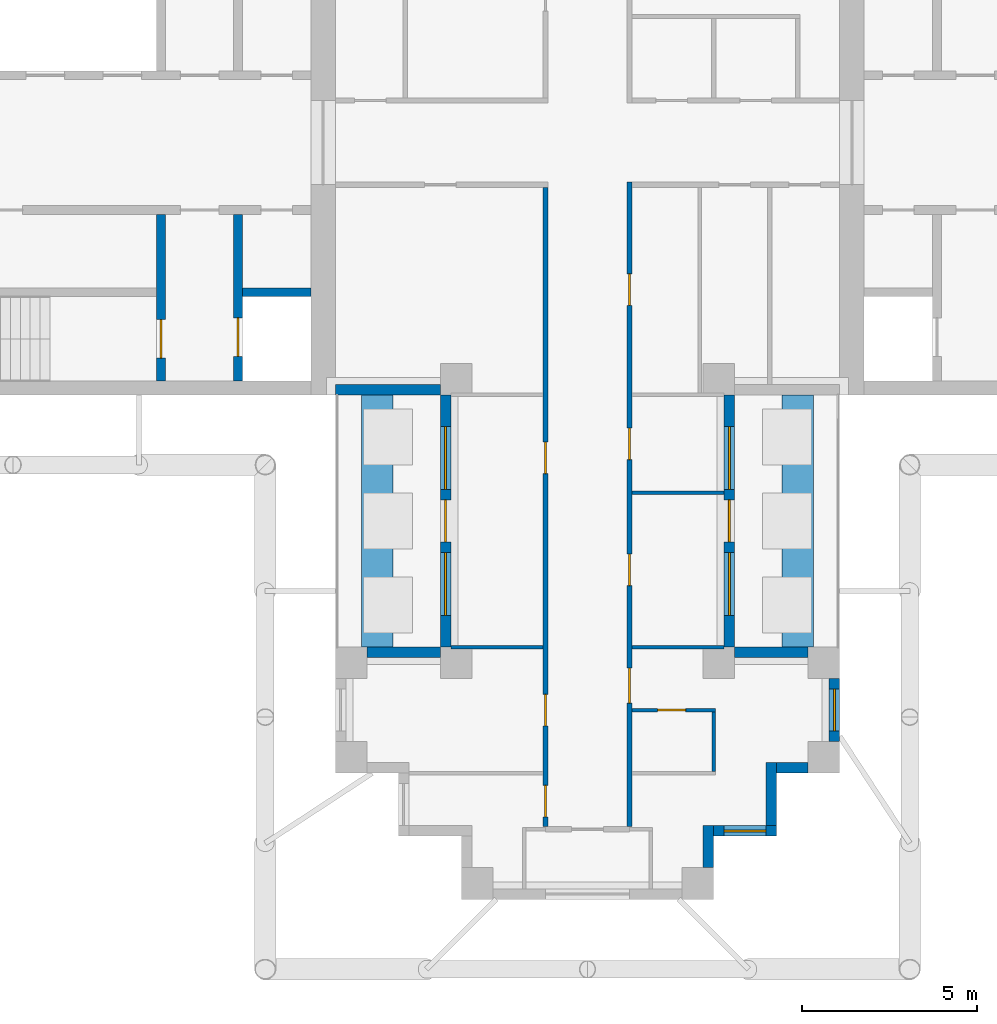
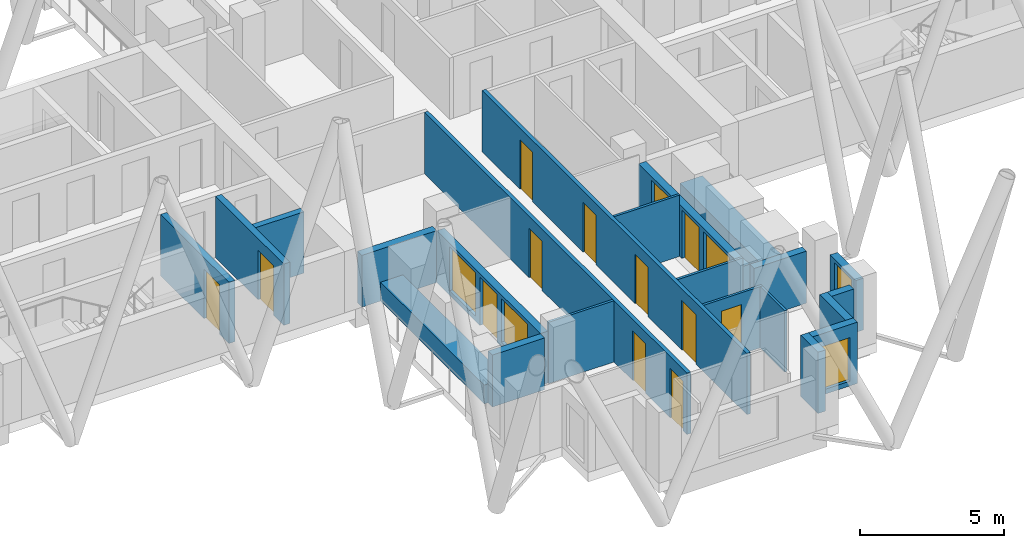
# One storey, part 5 of 12: 22 walls, 12 doors, 6 windows, 18 openings.
"""IFC4 building model written with IfcOpenShell, lengths in metres."""

from ifc_helpers import new_model, si_unit, direction, frame, frame_2d, origin, place, context, subcontext, project, spatial, rectangle, extrude, material, layer, layer_set, type_object, element, fill, save


model = new_model("IFC4")

# Units and contexts
model_context = context("Model", 3, precision=1e-05, world=origin(), true_north=direction((0.0, 1.0)))
body_context = subcontext(model_context, "Body", "Model", "MODEL_VIEW")
ifc_project = project(units=[si_unit("LENGTHUNIT", "METRE"), si_unit("AREAUNIT", "SQUARE_METRE"), si_unit("VOLUMEUNIT", "CUBIC_METRE"), si_unit("PLANEANGLEUNIT", "RADIAN"), si_unit("MASSUNIT", "GRAM", prefix="KILO")], contexts=[model_context])

# Site, building, storey
site_placement = place(None, origin())
site = spatial("IfcSite", under=ifc_project, at=site_placement, CompositionType="ELEMENT")
building_placement = place(site_placement, origin())
building = spatial("IfcBuilding", under=site, at=building_placement, Name="Fustian Cross Tower", CompositionType="ELEMENT")
storey_placement = place(building_placement, frame((0.0, 0.0, 188.699951171875)))
storey = spatial("IfcBuildingStorey", under=building, at=storey_placement, Name="L59", CompositionType="ELEMENT", Elevation=188.699951171875)

# Wall, openings, doors
ifc_material_1 = material(Name="Plasterboard on steel stud", Category="steel")
ifc_layer_1 = layer(ifc_material_1, 0.14990234375)
ifc_layer_set_1 = layer_set([ifc_layer_1], Name="Plasterboard on steel stud")
wall_type_1 = type_object("IfcWallType", Name="COMPARTMENT WALL 150 EI 60", PredefinedType="PARTITIONING", material=ifc_layer_set_1)
wall_1_placement = place(storey_placement, frame((-1.199951171875, -19.52490234375, 0.0), z_axis=(0.0, 0.0, 1.0), x_axis=(0.0, 1.0, 0.0)))
wall_1 = element("IfcWall", 1, at=wall_1_placement, inside=storey, type_object=wall_type_1, Name="Partition 27", PredefinedType="PARTITIONING", context=body_context, shape_type="SweptSolid", body=[
    extrude(rectangle(XDim=18.25, YDim=0.14990234375, at=frame_2d((9.125, 0.0))), origin(), (0.0, 0.0, 1.0), 2.60009765625),
])
opening_1_placement = place(wall_1_placement, frame((10.074951171875, 0.0, 0.0)))
opening_1 = element("IfcOpeningElement", 2, at=opening_1_placement, cuts=wall_1, Name="Opening D27037", PredefinedType="OPENING", context=body_context, shape_type="SweptSolid", body=[
    extrude(rectangle(XDim=0.89990234375, YDim=2.10009765625, at=frame_2d((0.449951171875, 1.050048828125))), frame((0.0, 0.0849609375, 0.0), z_axis=(0.0, -1.0, 0.0), x_axis=(1.0, 0.0, 0.0)), (0.0, 0.0, 1.0), 0.169921875),
])
opening_2_placement = place(wall_1_placement, frame((2.875, 0.0, 0.0)))
opening_2 = element("IfcOpeningElement", 3, at=opening_2_placement, cuts=wall_1, Name="Opening D27038", PredefinedType="OPENING", context=body_context, shape_type="SweptSolid", body=[
    extrude(rectangle(XDim=0.89990234375, YDim=2.10009765625, at=frame_2d((0.449951171875, 1.050048828125))), frame((0.0, 0.0849609375, 0.0), z_axis=(0.0, -1.0, 0.0), x_axis=(1.0, 0.0, 0.0)), (0.0, 0.0, 1.0), 0.169921875),
])
opening_3_placement = place(wall_1_placement, frame((0.27490234375, 0.0, 0.0)))
opening_3 = element("IfcOpeningElement", 4, at=opening_3_placement, cuts=wall_1, Name="Opening D27039", PredefinedType="OPENING", context=body_context, shape_type="SweptSolid", body=[
    extrude(rectangle(XDim=0.89990234375, YDim=2.10009765625, at=frame_2d((0.449951171875, 1.050048828125))), frame((0.0, 0.0849609375, 0.0), z_axis=(0.0, -1.0, 0.0), x_axis=(1.0, 0.0, 0.0)), (0.0, 0.0, 1.0), 0.169921875),
])
ifc_material_2 = material(Name="Timber fire door set", Category="wood")
door_type_1 = type_object("IfcDoorType", Name="FIRE SWING DOOR 900 FD30S", OperationType="SINGLE_SWING_LEFT", PredefinedType="DOOR", material=ifc_material_2)
door_1_placement = place(opening_1_placement, origin())
door_1 = element("IfcDoor", 5, at=door_1_placement, inside=storey, type_object=door_type_1, Name="Door D27037", OperationType="SINGLE_SWING_RIGHT", OverallHeight=2.10009765625, OverallWidth=0.89990234375, PredefinedType="DOOR", context=body_context, shape_type="SweptSolid", body=[
    extrude(rectangle(XDim=0.89990234375, YDim=2.10009765625, at=frame_2d((0.449951171875, 1.050048828125))), frame((0.0, 0.02490234375, 0.0), z_axis=(0.0, -1.0, 0.0), x_axis=(1.0, 0.0, 0.0)), (0.0, 0.0, 1.0), 0.050048828125),
])
fill(opening_1, door_1)
door_2_placement = place(opening_2_placement, origin())
door_2 = element("IfcDoor", 6, at=door_2_placement, inside=storey, type_object=door_type_1, Name="Door D27038", OperationType="SINGLE_SWING_LEFT", OverallHeight=2.10009765625, OverallWidth=0.89990234375, PredefinedType="DOOR", context=body_context, shape_type="SweptSolid", body=[
    extrude(rectangle(XDim=0.89990234375, YDim=2.10009765625, at=frame_2d((0.449951171875, 1.050048828125))), frame((0.0, 0.02490234375, 0.0), z_axis=(0.0, -1.0, 0.0), x_axis=(1.0, 0.0, 0.0)), (0.0, 0.0, 1.0), 0.050048828125),
])
fill(opening_2, door_2)
door_3_placement = place(opening_3_placement, origin())
door_3 = element("IfcDoor", 7, at=door_3_placement, inside=storey, type_object=door_type_1, Name="Door D27039", OperationType="SINGLE_SWING_LEFT", OverallHeight=2.10009765625, OverallWidth=0.89990234375, PredefinedType="DOOR", context=body_context, shape_type="SweptSolid", body=[
    extrude(rectangle(XDim=0.89990234375, YDim=2.10009765625, at=frame_2d((0.449951171875, 1.050048828125))), frame((0.0, 0.02490234375, 0.0), z_axis=(0.0, -1.0, 0.0), x_axis=(1.0, 0.0, 0.0)), (0.0, 0.0, 1.0), 0.050048828125),
])
fill(opening_3, door_3)

wall_2_placement = place(storey_placement, frame((1.199951171875, -19.52490234375, 0.0), z_axis=(0.0, 0.0, 1.0), x_axis=(0.0, 1.0, 0.0)))
wall_2 = element("IfcWall", 8, at=wall_2_placement, inside=storey, type_object=wall_type_1, Name="Partition 31", PredefinedType="PARTITIONING", context=body_context, shape_type="SweptSolid", body=[
    extrude(rectangle(XDim=18.39990234375, YDim=0.14990234375, at=frame_2d((9.199951171875, 0.0))), origin(), (0.0, 0.0, 1.0), 2.60009765625),
])
opening_4_placement = place(wall_2_placement, frame((14.875, 0.0, 0.0)))
opening_4 = element("IfcOpeningElement", 9, at=opening_4_placement, cuts=wall_2, Name="Opening D27006", PredefinedType="OPENING", context=body_context, shape_type="SweptSolid", body=[
    extrude(rectangle(XDim=0.89990234375, YDim=2.10009765625, at=frame_2d((0.449951171875, 1.050048828125))), frame((0.0, 0.0849609375, 0.0), z_axis=(0.0, -1.0, 0.0), x_axis=(1.0, 0.0, 0.0)), (0.0, 0.0, 1.0), 0.169921875),
])
opening_5_placement = place(wall_2_placement, frame((10.47509765625, 0.0, 0.0)))
opening_5 = element("IfcOpeningElement", 10, at=opening_5_placement, cuts=wall_2, Name="Opening D27033", PredefinedType="OPENING", context=body_context, shape_type="SweptSolid", body=[
    extrude(rectangle(XDim=0.89990234375, YDim=2.10009765625, at=frame_2d((0.449951171875, 1.050048828125))), frame((0.0, 0.0849609375, 0.0), z_axis=(0.0, -1.0, 0.0), x_axis=(1.0, 0.0, 0.0)), (0.0, 0.0, 1.0), 0.169921875),
])
opening_6_placement = place(wall_2_placement, frame((6.875, 0.0, 0.0)))
opening_6 = element("IfcOpeningElement", 11, at=opening_6_placement, cuts=wall_2, Name="Opening D27034", PredefinedType="OPENING", context=body_context, shape_type="SweptSolid", body=[
    extrude(rectangle(XDim=0.89990234375, YDim=2.10009765625, at=frame_2d((0.449951171875, 1.050048828125))), frame((0.0, 0.0849609375, 0.0), z_axis=(0.0, -1.0, 0.0), x_axis=(1.0, 0.0, 0.0)), (0.0, 0.0, 1.0), 0.169921875),
])
opening_7_placement = place(wall_2_placement, frame((3.52490234375, 0.0, 0.0)))
opening_7 = element("IfcOpeningElement", 12, at=opening_7_placement, cuts=wall_2, Name="Opening D27036", PredefinedType="OPENING", context=body_context, shape_type="SweptSolid", body=[
    extrude(rectangle(XDim=1.0, YDim=2.10009765625, at=frame_2d((0.5, 1.050048828125))), frame((0.0, 0.0849609375, 0.0), z_axis=(0.0, -1.0, 0.0), x_axis=(1.0, 0.0, 0.0)), (0.0, 0.0, 1.0), 0.169921875),
])
ifc_material_3 = material(Name="Timber fire door set", Category="wood")
door_type_2 = type_object("IfcDoorType", Name="FIRE SWING DOOR 1000 FD30S", OperationType="SINGLE_SWING_LEFT", PredefinedType="DOOR", material=ifc_material_3)
door_4_placement = place(opening_7_placement, frame((1.0, 0.0, 0.0), z_axis=(0.0, 0.0, 1.0), x_axis=(-1.0, 0.0, 0.0)))
door_4 = element("IfcDoor", 13, at=door_4_placement, inside=storey, type_object=door_type_2, Name="Door D27036", OperationType="SINGLE_SWING_RIGHT", OverallHeight=2.10009765625, OverallWidth=1.0, PredefinedType="DOOR", context=body_context, shape_type="SweptSolid", body=[
    extrude(rectangle(XDim=1.0, YDim=2.10009765625, at=frame_2d((0.5, 1.050048828125))), frame((0.0, 0.02490234375, 0.0), z_axis=(0.0, -1.0, 0.0), x_axis=(1.0, 0.0, 0.0)), (0.0, 0.0, 1.0), 0.050048828125),
])
fill(opening_7, door_4)
door_5_placement = place(opening_4_placement, frame((0.89990234375, 0.0, 0.0), z_axis=(0.0, 0.0, 1.0), x_axis=(-1.0, 0.0, 0.0)))
door_5 = element("IfcDoor", 14, at=door_5_placement, inside=storey, type_object=door_type_1, Name="Door D27006", OperationType="SINGLE_SWING_RIGHT", OverallHeight=2.10009765625, OverallWidth=0.89990234375, PredefinedType="DOOR", context=body_context, shape_type="SweptSolid", body=[
    extrude(rectangle(XDim=0.89990234375, YDim=2.10009765625, at=frame_2d((0.449951171875, 1.050048828125))), frame((0.0, 0.02490234375, 0.0), z_axis=(0.0, -1.0, 0.0), x_axis=(1.0, 0.0, 0.0)), (0.0, 0.0, 1.0), 0.050048828125),
])
fill(opening_4, door_5)
door_6_placement = place(opening_5_placement, frame((0.89990234375, 0.0, 0.0), z_axis=(0.0, 0.0, 1.0), x_axis=(-1.0, 0.0, 0.0)))
door_6 = element("IfcDoor", 15, at=door_6_placement, inside=storey, type_object=door_type_1, Name="Door D27033", OperationType="SINGLE_SWING_RIGHT", OverallHeight=2.10009765625, OverallWidth=0.89990234375, PredefinedType="DOOR", context=body_context, shape_type="SweptSolid", body=[
    extrude(rectangle(XDim=0.89990234375, YDim=2.10009765625, at=frame_2d((0.449951171875, 1.050048828125))), frame((0.0, 0.02490234375, 0.0), z_axis=(0.0, -1.0, 0.0), x_axis=(1.0, 0.0, 0.0)), (0.0, 0.0, 1.0), 0.050048828125),
])
fill(opening_5, door_6)
door_7_placement = place(opening_6_placement, frame((0.89990234375, 0.0, 0.0), z_axis=(0.0, 0.0, 1.0), x_axis=(-1.0, 0.0, 0.0)))
door_7 = element("IfcDoor", 16, at=door_7_placement, inside=storey, type_object=door_type_1, Name="Door D27034", OperationType="SINGLE_SWING_RIGHT", OverallHeight=2.10009765625, OverallWidth=0.89990234375, PredefinedType="DOOR", context=body_context, shape_type="SweptSolid", body=[
    extrude(rectangle(XDim=0.89990234375, YDim=2.10009765625, at=frame_2d((0.449951171875, 1.050048828125))), frame((0.0, 0.02490234375, 0.0), z_axis=(0.0, -1.0, 0.0), x_axis=(1.0, 0.0, 0.0)), (0.0, 0.0, 1.0), 0.050048828125),
])
fill(opening_6, door_7)

# Wall
ifc_material_4 = material(Name="Concrete C50/60", Category="concrete")
ifc_layer_2 = layer(ifc_material_4, 0.25)
ifc_layer_set_2 = layer_set([ifc_layer_2], Name="Concrete C50/60")
wall_type_2 = type_object("IfcWallType", Name="CORE SHAFT WALL 250 C50/60", PredefinedType="SHEAR", material=ifc_layer_set_2)
wall_3_placement = place(storey_placement, frame((-7.89990234375, -4.27490234375, 0.0), z_axis=(0.0, 0.0, 1.0), x_axis=(-1.0, 0.0, 0.0)))
element("IfcWall", 17, at=wall_3_placement, inside=storey, type_object=wall_type_2, Name="Core shaft wall", PredefinedType="SHEAR", context=body_context, shape_type="SweptSolid", body=[
    extrude(rectangle(XDim=1.9501953125, YDim=0.25, at=frame_2d((0.97509765625, 0.0))), origin(), (0.0, 0.0, 1.0), 2.60009765625),
])

# Wall, opening, door
wall_4_placement = place(storey_placement, frame((-9.97509765625, -2.050048828125, 0.0), z_axis=(0.0, 0.0, 1.0), x_axis=(0.0, -1.0, 0.0)))
wall_4 = element("IfcWall", 18, at=wall_4_placement, inside=storey, type_object=wall_type_2, Name="Core shaft wall", PredefinedType="SHEAR", context=body_context, shape_type="SweptSolid", body=[
    extrude(rectangle(XDim=4.75, YDim=0.25, at=frame_2d((2.375, 0.0))), origin(), (0.0, 0.0, 1.0), 2.60009765625),
])
opening_8_placement = place(wall_4_placement, frame((2.949951171875, 0.0, 0.0)))
opening_8 = element("IfcOpeningElement", 19, at=opening_8_placement, cuts=wall_4, Name="Opening LD", PredefinedType="OPENING", context=body_context, shape_type="SweptSolid", body=[
    extrude(rectangle(XDim=1.10009765625, YDim=2.10009765625, at=frame_2d((0.550048828125, 1.050048828125))), frame((0.0, 0.135009765625, 0.0), z_axis=(0.0, -1.0, 0.0), x_axis=(1.0, 0.0, 0.0)), (0.0, 0.0, 1.0), 0.27001953125),
])
ifc_material_5 = material(Name="Stainless steel", Category="steel")
door_type_3 = type_object("IfcDoorType", Name="LIFT LANDING DOOR 1100X2100", OperationType="SLIDING_TO_LEFT", PredefinedType="DOOR", material=ifc_material_5)
door_8_placement = place(opening_8_placement, origin())
door_8 = element("IfcDoor", 20, at=door_8_placement, inside=storey, type_object=door_type_3, Name="Landing door SV1W", OperationType="SLIDING_TO_LEFT", OverallHeight=2.10009765625, OverallWidth=1.10009765625, PredefinedType="DOOR", context=body_context, shape_type="SweptSolid", body=[
    extrude(rectangle(XDim=1.10009765625, YDim=2.10009765625, at=frame_2d((0.550048828125, 1.050048828125))), frame((0.0, 0.02490234375, 0.0), z_axis=(0.0, -1.0, 0.0), x_axis=(1.0, 0.0, 0.0)), (0.0, 0.0, 1.0), 0.050048828125),
])
fill(opening_8, door_8)

wall_5_placement = place(storey_placement, frame((-12.175048828125, -2.050048828125, 0.0), z_axis=(0.0, 0.0, 1.0), x_axis=(0.0, -1.0, 0.0)))
wall_5 = element("IfcWall", 21, at=wall_5_placement, inside=storey, type_object=wall_type_2, Name="Core shaft wall", PredefinedType="SHEAR", context=body_context, shape_type="SweptSolid", body=[
    extrude(rectangle(XDim=4.75, YDim=0.25, at=frame_2d((2.375, 0.0))), origin(), (0.0, 0.0, 1.0), 2.60009765625),
])
opening_9_placement = place(wall_5_placement, frame((3.0, 0.0, 0.0)))
opening_9 = element("IfcOpeningElement", 22, at=opening_9_placement, cuts=wall_5, Name="Opening CD-24-22", PredefinedType="OPENING", context=body_context, shape_type="SweptSolid", body=[
    extrude(rectangle(XDim=1.10009765625, YDim=2.10009765625, at=frame_2d((0.550048828125, 1.050048828125))), frame((0.0, 0.135009765625, 0.0), z_axis=(0.0, -1.0, 0.0), x_axis=(1.0, 0.0, 0.0)), (0.0, 0.0, 1.0), 0.27001953125),
])
ifc_material_6 = material(Name="Steel", Category="steel")
door_type_4 = type_object("IfcDoorType", Name="FIRE DOOR FD60S 1100X2100", OperationType="SINGLE_SWING_LEFT", PredefinedType="DOOR", material=ifc_material_6)
door_9_placement = place(opening_9_placement, frame((1.10009765625, 0.0, 0.0), z_axis=(0.0, 0.0, 1.0), x_axis=(-1.0, 0.0, 0.0)))
door_9 = element("IfcDoor", 23, at=door_9_placement, inside=storey, type_object=door_type_4, Name="Core door CD-24-22", OperationType="SINGLE_SWING_RIGHT", OverallHeight=2.10009765625, OverallWidth=1.10009765625, PredefinedType="DOOR", context=body_context, shape_type="SweptSolid", body=[
    extrude(rectangle(XDim=1.10009765625, YDim=2.10009765625, at=frame_2d((0.550048828125, 1.050048828125))), frame((0.0, 0.02490234375, 0.0), z_axis=(0.0, -1.0, 0.0), x_axis=(1.0, 0.0, 0.0)), (0.0, 0.0, 1.0), 0.050048828125),
])
fill(opening_9, door_9)

# Wall
ifc_material_7 = material(Name="Plasterboard on steel stud", Category="steel")
ifc_layer_3 = layer(ifc_material_7, 0.10009765625)
ifc_layer_set_3 = layer_set([ifc_layer_3], Name="Plasterboard on steel stud")
wall_type_3 = type_object("IfcWallType", Name="PARTITION 100 STUD", PredefinedType="PARTITIONING", material=ifc_layer_set_3)
wall_6_placement = place(storey_placement, frame((-3.89990234375, -14.39990234375, 0.0), z_axis=(0.0, 0.0, 1.0), x_axis=(1.0, 0.0, 0.0)))
element("IfcWall", 24, at=wall_6_placement, inside=storey, type_object=wall_type_3, Name="Partition 19", PredefinedType="PARTITIONING", context=body_context, shape_type="SweptSolid", body=[
    extrude(rectangle(XDim=2.625, YDim=0.10009765625, at=frame_2d((1.3125, 0.0))), origin(), (0.0, 0.0, 1.0), 2.60009765625),
])

# Wall, opening, door
wall_7_placement = place(storey_placement, frame((1.27490234375, -16.199951171875, 0.0), z_axis=(0.0, 0.0, 1.0), x_axis=(1.0, 0.0, 0.0)))
wall_7 = element("IfcWall", 25, at=wall_7_placement, inside=storey, type_object=wall_type_3, Name="Partition 34", PredefinedType="PARTITIONING", context=body_context, shape_type="SweptSolid", body=[
    extrude(rectangle(XDim=2.375, YDim=0.10009765625, at=frame_2d((1.1875, 0.0))), origin(), (0.0, 0.0, 1.0), 2.60009765625),
])
opening_10_placement = place(wall_7_placement, frame((0.72509765625, 0.0, 0.0)))
opening_10 = element("IfcOpeningElement", 26, at=opening_10_placement, cuts=wall_7, Name="Opening D27035", PredefinedType="OPENING", context=body_context, shape_type="SweptSolid", body=[
    extrude(rectangle(XDim=0.800048828125, YDim=2.10009765625, at=frame_2d((0.39990234375, 1.050048828125))), frame((0.0, 0.06005859375, 0.0), z_axis=(0.0, -1.0, 0.0), x_axis=(1.0, 0.0, 0.0)), (0.0, 0.0, 1.0), 0.1201171875),
])
ifc_material_8 = material(Name="Painted timber", Category="wood")
door_type_5 = type_object("IfcDoorType", Name="SWING DOOR 800", OperationType="SINGLE_SWING_LEFT", PredefinedType="DOOR", material=ifc_material_8)
door_10_placement = place(opening_10_placement, frame((0.800048828125, 0.0, 0.0), z_axis=(0.0, 0.0, 1.0), x_axis=(-1.0, 0.0, 0.0)))
door_10 = element("IfcDoor", 27, at=door_10_placement, inside=storey, type_object=door_type_5, Name="Door D27035", OperationType="SINGLE_SWING_RIGHT", OverallHeight=2.10009765625, OverallWidth=0.800048828125, PredefinedType="DOOR", context=body_context, shape_type="SweptSolid", body=[
    extrude(rectangle(XDim=0.800048828125, YDim=2.10009765625, at=frame_2d((0.39990234375, 1.050048828125))), frame((0.0, 0.02490234375, 0.0), z_axis=(0.0, -1.0, 0.0), x_axis=(1.0, 0.0, 0.0)), (0.0, 0.0, 1.0), 0.050048828125),
])
fill(opening_10, door_10)

# Walls
for number, where, z_axis, x_axis, name in (
    (28, (1.27490234375, -14.39990234375, 0.0), (0.0, 0.0, 1.0), (1.0, 0.0, 0.0), "Partition 35"),
    (29, (1.27490234375, -10.0, 0.0), (0.0, 0.0, 1.0), (1.0, 0.0, 0.0), "Partition 36"),
):
    element("IfcWall", number, at=place(storey_placement, frame(where, z_axis=z_axis, x_axis=x_axis)), inside=storey, type_object=wall_type_3, Name=name, PredefinedType="PARTITIONING", context=body_context, shape_type="SweptSolid", body=[
        extrude(rectangle(XDim=2.625, YDim=0.10009765625, at=frame_2d((1.3125, 0.0))), origin(), (0.0, 0.0, 1.0), 2.60009765625),
    ])
wall_8_placement = place(storey_placement, frame((3.60009765625, -17.949951171875, 0.0), z_axis=(0.0, 0.0, 1.0), x_axis=(0.0, 1.0, 0.0)))
element("IfcWall", 30, at=wall_8_placement, inside=storey, type_object=wall_type_3, Name="Partition 50", PredefinedType="PARTITIONING", context=body_context, shape_type="SweptSolid", body=[
    extrude(rectangle(XDim=1.699951171875, YDim=0.10009765625, at=frame_2d((0.85009765625, 0.0))), origin(), (0.0, 0.0, 1.0), 2.60009765625),
])
ifc_material_9 = material(Name="Concrete C40/50", Category="concrete")
ifc_layer_4 = layer(ifc_material_9, 0.89990234375)
ifc_layer_set_4 = layer_set([ifc_layer_4], Name="Concrete C40/50")
wall_type_4 = type_object("IfcWallType", Name="PK1 PLANTER 900", PredefinedType="PARAPET", material=ifc_layer_set_4)
for number, where, z_axis, x_axis, name in (
    (31, (6.0, -14.39990234375, 0.0), (0.0, 0.0, 1.0), (0.0, 1.0, 0.0), "PLANTER"),
    (32, (-6.0, -14.39990234375, 0.0), (0.0, 0.0, 1.0), (0.0, 1.0, 0.0), "PLANTER"),
):
    element("IfcWall", number, at=place(storey_placement, frame(where, z_axis=z_axis, x_axis=x_axis)), inside=storey, type_object=wall_type_4, Name=name, PredefinedType="PARAPET", context=body_context, shape_type="SweptSolid", body=[
        extrude(rectangle(XDim=7.199951171875, YDim=0.89990234375, at=frame_2d((3.60009765625, 0.0))), origin(), (0.0, 0.0, 1.0), 0.800048828125),
    ])
ifc_material_10 = material(Name="Dark aluminium cladding on insulated backing wall", Category="aluminium")
ifc_layer_5 = layer(ifc_material_10, 0.300048828125)
ifc_layer_set_5 = layer_set([ifc_layer_5], Name="Dark aluminium cladding on insulated backing wall")
wall_type_5 = type_object("IfcWallType", Name="XW1 EXTERNAL WALL 300", PredefinedType="SOLIDWALL", material=ifc_layer_set_5)
wall_9_placement = place(storey_placement, frame((-7.199951171875, -7.050048828125, 0.0), z_axis=(0.0, 0.0, 1.0), x_axis=(1.0, 0.0, 0.0)))
element("IfcWall", 33, at=wall_9_placement, inside=storey, type_object=wall_type_5, Name="External wall", PredefinedType="SOLIDWALL", context=body_context, shape_type="SweptSolid", body=[
    extrude(rectangle(XDim=3.0, YDim=0.300048828125, at=frame_2d((1.5, 0.0))), origin(), (0.0, 0.0, 1.0), 2.199951171875),
])

# Wall, openings, door, windows
wall_10_placement = place(storey_placement, frame((-4.050048828125, -7.199951171875, 0.0), z_axis=(0.0, 0.0, 1.0), x_axis=(0.0, -1.0, 0.0)))
wall_10 = element("IfcWall", 34, at=wall_10_placement, inside=storey, type_object=wall_type_5, Name="External wall", PredefinedType="SOLIDWALL", context=body_context, shape_type="SweptSolid", body=[
    extrude(rectangle(XDim=7.199951171875, YDim=0.300048828125, at=frame_2d((3.60009765625, 0.0))), origin(), (0.0, 0.0, 1.0), 2.199951171875),
])
opening_11_placement = place(wall_10_placement, frame((3.0, 0.0, 0.0)))
opening_11 = element("IfcOpeningElement", 35, at=opening_11_placement, cuts=wall_10, Name="Opening XD4", PredefinedType="OPENING", context=body_context, shape_type="SweptSolid", body=[
    extrude(rectangle(XDim=1.199951171875, YDim=2.050048828125, at=frame_2d((0.60009765625, 1.02490234375))), frame((0.0, 0.159912109375, 0.0), z_axis=(0.0, -1.0, 0.0), x_axis=(1.0, 0.0, 0.0)), (0.0, 0.0, 1.0), 0.320068359375),
])
opening_12_placement = place(wall_10_placement, frame((0.89990234375, 0.0, 0.199951171875)))
opening_12 = element("IfcOpeningElement", 36, at=opening_12_placement, cuts=wall_10, Name="Opening WN2", PredefinedType="OPENING", context=body_context, shape_type="SweptSolid", body=[
    extrude(rectangle(XDim=1.800048828125, YDim=1.85009765625, at=frame_2d((0.89990234375, 0.925048828125))), frame((0.0, 0.159912109375, 0.0), z_axis=(0.0, -1.0, 0.0), x_axis=(1.0, 0.0, 0.0)), (0.0, 0.0, 1.0), 0.320068359375),
])
opening_13_placement = place(wall_10_placement, frame((4.5, 0.0, 0.199951171875)))
opening_13 = element("IfcOpeningElement", 37, at=opening_13_placement, cuts=wall_10, Name="Opening WN2", PredefinedType="OPENING", context=body_context, shape_type="SweptSolid", body=[
    extrude(rectangle(XDim=1.800048828125, YDim=1.85009765625, at=frame_2d((0.89990234375, 0.925048828125))), frame((0.0, 0.159912109375, 0.0), z_axis=(0.0, -1.0, 0.0), x_axis=(1.0, 0.0, 0.0)), (0.0, 0.0, 1.0), 0.320068359375),
])
ifc_material_11 = material(Name="Dark anodised aluminium and double glazing", Category="aluminium")
door_type_6 = type_object("IfcDoorType", Name="ED1 BALCONY DOOR 1200X2050", OperationType="SINGLE_SWING_LEFT", PredefinedType="DOOR", material=ifc_material_11)
door_11_placement = place(opening_11_placement, origin())
door_11 = element("IfcDoor", 38, at=door_11_placement, inside=storey, type_object=door_type_6, Name="Balcony door", OperationType="SINGLE_SWING_LEFT", OverallHeight=2.050048828125, OverallWidth=1.199951171875, PredefinedType="DOOR", context=body_context, shape_type="SweptSolid", body=[
    extrude(rectangle(XDim=1.199951171875, YDim=2.050048828125, at=frame_2d((0.60009765625, 1.02490234375))), frame((0.0, 0.02490234375, 0.0), z_axis=(0.0, -1.0, 0.0), x_axis=(1.0, 0.0, 0.0)), (0.0, 0.0, 1.0), 0.050048828125),
])
fill(opening_11, door_11)
ifc_material_12 = material(Name="Dark anodised aluminium and double glazing", Category="aluminium")
window_type_1 = type_object("IfcWindowType", Name="WN2 WINDOW 1800X1850", PartitioningType="SINGLE_PANEL", PredefinedType="WINDOW", material=ifc_material_12)
window_1_placement = place(opening_12_placement, origin())
window_1 = element("IfcWindow", 39, at=window_1_placement, inside=storey, type_object=window_type_1, Name="Window", OverallHeight=1.85009765625, OverallWidth=1.800048828125, PartitioningType="SINGLE_PANEL", PredefinedType="WINDOW", context=body_context, shape_type="SweptSolid", body=[
    extrude(rectangle(XDim=1.800048828125, YDim=1.85009765625, at=frame_2d((0.89990234375, 0.925048828125))), frame((0.0, 0.030029296875, 0.0), z_axis=(0.0, -1.0, 0.0), x_axis=(1.0, 0.0, 0.0)), (0.0, 0.0, 1.0), 0.06005859375),
])
fill(opening_12, window_1)
window_2_placement = place(opening_13_placement, origin())
window_2 = element("IfcWindow", 40, at=window_2_placement, inside=storey, type_object=window_type_1, Name="Window", OverallHeight=1.85009765625, OverallWidth=1.800048828125, PartitioningType="SINGLE_PANEL", PredefinedType="WINDOW", context=body_context, shape_type="SweptSolid", body=[
    extrude(rectangle(XDim=1.800048828125, YDim=1.85009765625, at=frame_2d((0.89990234375, 0.925048828125))), frame((0.0, 0.030029296875, 0.0), z_axis=(0.0, -1.0, 0.0), x_axis=(1.0, 0.0, 0.0)), (0.0, 0.0, 1.0), 0.06005859375),
])
fill(opening_13, window_2)

# Walls
wall_11_placement = place(storey_placement, frame((-4.199951171875, -14.550048828125, 0.0), z_axis=(0.0, 0.0, 1.0), x_axis=(-1.0, 0.0, 0.0)))
element("IfcWall", 41, at=wall_11_placement, inside=storey, type_object=wall_type_5, Name="External wall", PredefinedType="SOLIDWALL", context=body_context, shape_type="SweptSolid", body=[
    extrude(rectangle(XDim=2.10009765625, YDim=0.300048828125, at=frame_2d((1.050048828125, 0.0))), origin(), (0.0, 0.0, 1.0), 2.199951171875),
])
wall_12_placement = place(storey_placement, frame((3.449951171875, -20.699951171875, 0.0), z_axis=(0.0, 0.0, 1.0), x_axis=(0.0, 1.0, 0.0)))
element("IfcWall", 42, at=wall_12_placement, inside=storey, type_object=wall_type_5, Name="External wall", PredefinedType="SOLIDWALL", context=body_context, shape_type="SweptSolid", body=[
    extrude(rectangle(XDim=1.199951171875, YDim=0.300048828125, at=frame_2d((0.60009765625, 0.0))), origin(), (0.0, 0.0, 1.0), 2.60009765625),
])

# Wall, opening, window
wall_13_placement = place(storey_placement, frame((3.60009765625, -19.64990234375, 0.0), z_axis=(0.0, 0.0, 1.0), x_axis=(1.0, 0.0, 0.0)))
wall_13 = element("IfcWall", 43, at=wall_13_placement, inside=storey, type_object=wall_type_5, Name="External wall", PredefinedType="SOLIDWALL", context=body_context, shape_type="SweptSolid", body=[
    extrude(rectangle(XDim=1.7998046875, YDim=0.300048828125, at=frame_2d((0.89990234375, 0.0))), origin(), (0.0, 0.0, 1.0), 2.60009765625),
])
opening_14_placement = place(wall_13_placement, frame((0.300048828125, 0.0, 0.199951171875)))
opening_14 = element("IfcOpeningElement", 44, at=opening_14_placement, cuts=wall_13, Name="Opening WN3", PredefinedType="OPENING", context=body_context, shape_type="SweptSolid", body=[
    extrude(rectangle(XDim=1.199951171875, YDim=1.85009765625, at=frame_2d((0.60009765625, 0.925048828125))), frame((0.0, 0.159912109375, 0.0), z_axis=(0.0, -1.0, 0.0), x_axis=(1.0, 0.0, 0.0)), (0.0, 0.0, 1.0), 0.320068359375),
])
ifc_material_13 = material(Name="Dark anodised aluminium and double glazing", Category="aluminium")
window_type_2 = type_object("IfcWindowType", Name="WN3 WINDOW 1200X1850", PartitioningType="SINGLE_PANEL", PredefinedType="WINDOW", material=ifc_material_13)
window_3_placement = place(opening_14_placement, origin())
window_3 = element("IfcWindow", 45, at=window_3_placement, inside=storey, type_object=window_type_2, Name="Window", OverallHeight=1.85009765625, OverallWidth=1.199951171875, PartitioningType="SINGLE_PANEL", PredefinedType="WINDOW", context=body_context, shape_type="SweptSolid", body=[
    extrude(rectangle(XDim=1.199951171875, YDim=1.85009765625, at=frame_2d((0.60009765625, 0.925048828125))), frame((0.0, 0.030029296875, 0.0), z_axis=(0.0, -1.0, 0.0), x_axis=(1.0, 0.0, 0.0)), (0.0, 0.0, 1.0), 0.06005859375),
])
fill(opening_14, window_3)

# Walls
wall_14_placement = place(storey_placement, frame((5.25, -19.5, 0.0), z_axis=(0.0, 0.0, 1.0), x_axis=(0.0, 1.0, 0.0)))
element("IfcWall", 46, at=wall_14_placement, inside=storey, type_object=wall_type_5, Name="External wall", PredefinedType="SOLIDWALL", context=body_context, shape_type="SweptSolid", body=[
    extrude(rectangle(XDim=1.800048828125, YDim=0.300048828125, at=frame_2d((0.89990234375, 0.0))), origin(), (0.0, 0.0, 1.0), 2.60009765625),
])
wall_15_placement = place(storey_placement, frame((5.39990234375, -17.85009765625, 0.0), z_axis=(0.0, 0.0, 1.0), x_axis=(1.0, 0.0, 0.0)))
element("IfcWall", 47, at=wall_15_placement, inside=storey, type_object=wall_type_5, Name="External wall", PredefinedType="SOLIDWALL", context=body_context, shape_type="SweptSolid", body=[
    extrude(rectangle(XDim=0.900146484375, YDim=0.300048828125, at=frame_2d((0.4501953125, 0.0))), origin(), (0.0, 0.0, 1.0), 2.60009765625),
])

# Wall, opening, window
wall_16_placement = place(storey_placement, frame((7.050048828125, -17.10009765625, 0.0), z_axis=(0.0, 0.0, 1.0), x_axis=(0.0, 1.0, 0.0)))
wall_16 = element("IfcWall", 48, at=wall_16_placement, inside=storey, type_object=wall_type_5, Name="External wall", PredefinedType="SOLIDWALL", context=body_context, shape_type="SweptSolid", body=[
    extrude(rectangle(XDim=1.800048828125, YDim=0.300048828125, at=frame_2d((0.89990234375, 0.0))), origin(), (0.0, 0.0, 1.0), 2.199951171875),
])
opening_15_placement = place(wall_16_placement, frame((0.300048828125, 0.0, 0.199951171875)))
opening_15 = element("IfcOpeningElement", 49, at=opening_15_placement, cuts=wall_16, Name="Opening WN3", PredefinedType="OPENING", context=body_context, shape_type="SweptSolid", body=[
    extrude(rectangle(XDim=1.199951171875, YDim=1.85009765625, at=frame_2d((0.60009765625, 0.925048828125))), frame((0.0, 0.159912109375, 0.0), z_axis=(0.0, -1.0, 0.0), x_axis=(1.0, 0.0, 0.0)), (0.0, 0.0, 1.0), 0.320068359375),
])
window_4_placement = place(opening_15_placement, origin())
window_4 = element("IfcWindow", 50, at=window_4_placement, inside=storey, type_object=window_type_2, Name="Window", OverallHeight=1.85009765625, OverallWidth=1.199951171875, PartitioningType="SINGLE_PANEL", PredefinedType="WINDOW", context=body_context, shape_type="SweptSolid", body=[
    extrude(rectangle(XDim=1.199951171875, YDim=1.85009765625, at=frame_2d((0.60009765625, 0.925048828125))), frame((0.0, 0.030029296875, 0.0), z_axis=(0.0, -1.0, 0.0), x_axis=(1.0, 0.0, 0.0)), (0.0, 0.0, 1.0), 0.06005859375),
])
fill(opening_15, window_4)

# Wall
wall_17_placement = place(storey_placement, frame((6.300048828125, -14.550048828125, 0.0), z_axis=(0.0, 0.0, 1.0), x_axis=(-1.0, 0.0, 0.0)))
element("IfcWall", 51, at=wall_17_placement, inside=storey, type_object=wall_type_5, Name="External wall", PredefinedType="SOLIDWALL", context=body_context, shape_type="SweptSolid", body=[
    extrude(rectangle(XDim=2.10009765625, YDim=0.300048828125, at=frame_2d((1.050048828125, 0.0))), origin(), (0.0, 0.0, 1.0), 2.199951171875),
])

# Wall, openings, door, windows
wall_18_placement = place(storey_placement, frame((4.050048828125, -14.39990234375, 0.0), z_axis=(0.0, 0.0, 1.0), x_axis=(0.0, 1.0, 0.0)))
wall_18 = element("IfcWall", 52, at=wall_18_placement, inside=storey, type_object=wall_type_5, Name="External wall", PredefinedType="SOLIDWALL", context=body_context, shape_type="SweptSolid", body=[
    extrude(rectangle(XDim=7.199951171875, YDim=0.300048828125, at=frame_2d((3.60009765625, 0.0))), origin(), (0.0, 0.0, 1.0), 2.199951171875),
])
opening_16_placement = place(wall_18_placement, frame((3.0, 0.0, 0.0)))
opening_16 = element("IfcOpeningElement", 53, at=opening_16_placement, cuts=wall_18, Name="Opening XD3", PredefinedType="OPENING", context=body_context, shape_type="SweptSolid", body=[
    extrude(rectangle(XDim=1.199951171875, YDim=2.050048828125, at=frame_2d((0.60009765625, 1.02490234375))), frame((0.0, 0.159912109375, 0.0), z_axis=(0.0, -1.0, 0.0), x_axis=(1.0, 0.0, 0.0)), (0.0, 0.0, 1.0), 0.320068359375),
])
opening_17_placement = place(wall_18_placement, frame((0.89990234375, 0.0, 0.199951171875)))
opening_17 = element("IfcOpeningElement", 54, at=opening_17_placement, cuts=wall_18, Name="Opening WN2", PredefinedType="OPENING", context=body_context, shape_type="SweptSolid", body=[
    extrude(rectangle(XDim=1.800048828125, YDim=1.85009765625, at=frame_2d((0.89990234375, 0.925048828125))), frame((0.0, 0.159912109375, 0.0), z_axis=(0.0, -1.0, 0.0), x_axis=(1.0, 0.0, 0.0)), (0.0, 0.0, 1.0), 0.320068359375),
])
opening_18_placement = place(wall_18_placement, frame((4.5, 0.0, 0.199951171875)))
opening_18 = element("IfcOpeningElement", 55, at=opening_18_placement, cuts=wall_18, Name="Opening WN2", PredefinedType="OPENING", context=body_context, shape_type="SweptSolid", body=[
    extrude(rectangle(XDim=1.800048828125, YDim=1.85009765625, at=frame_2d((0.89990234375, 0.925048828125))), frame((0.0, 0.159912109375, 0.0), z_axis=(0.0, -1.0, 0.0), x_axis=(1.0, 0.0, 0.0)), (0.0, 0.0, 1.0), 0.320068359375),
])
door_12_placement = place(opening_16_placement, origin())
door_12 = element("IfcDoor", 56, at=door_12_placement, inside=storey, type_object=door_type_6, Name="Balcony door", OperationType="SINGLE_SWING_LEFT", OverallHeight=2.050048828125, OverallWidth=1.199951171875, PredefinedType="DOOR", context=body_context, shape_type="SweptSolid", body=[
    extrude(rectangle(XDim=1.199951171875, YDim=2.050048828125, at=frame_2d((0.60009765625, 1.02490234375))), frame((0.0, 0.02490234375, 0.0), z_axis=(0.0, -1.0, 0.0), x_axis=(1.0, 0.0, 0.0)), (0.0, 0.0, 1.0), 0.050048828125),
])
fill(opening_16, door_12)
window_5_placement = place(opening_17_placement, origin())
window_5 = element("IfcWindow", 57, at=window_5_placement, inside=storey, type_object=window_type_1, Name="Window", OverallHeight=1.85009765625, OverallWidth=1.800048828125, PartitioningType="SINGLE_PANEL", PredefinedType="WINDOW", context=body_context, shape_type="SweptSolid", body=[
    extrude(rectangle(XDim=1.800048828125, YDim=1.85009765625, at=frame_2d((0.89990234375, 0.925048828125))), frame((0.0, 0.030029296875, 0.0), z_axis=(0.0, -1.0, 0.0), x_axis=(1.0, 0.0, 0.0)), (0.0, 0.0, 1.0), 0.06005859375),
])
fill(opening_17, window_5)
window_6_placement = place(opening_18_placement, origin())
window_6 = element("IfcWindow", 58, at=window_6_placement, inside=storey, type_object=window_type_1, Name="Window", OverallHeight=1.85009765625, OverallWidth=1.800048828125, PartitioningType="SINGLE_PANEL", PredefinedType="WINDOW", context=body_context, shape_type="SweptSolid", body=[
    extrude(rectangle(XDim=1.800048828125, YDim=1.85009765625, at=frame_2d((0.89990234375, 0.925048828125))), frame((0.0, 0.030029296875, 0.0), z_axis=(0.0, -1.0, 0.0), x_axis=(1.0, 0.0, 0.0)), (0.0, 0.0, 1.0), 0.06005859375),
])
fill(opening_18, window_6)

save(model, "model.ifc")
